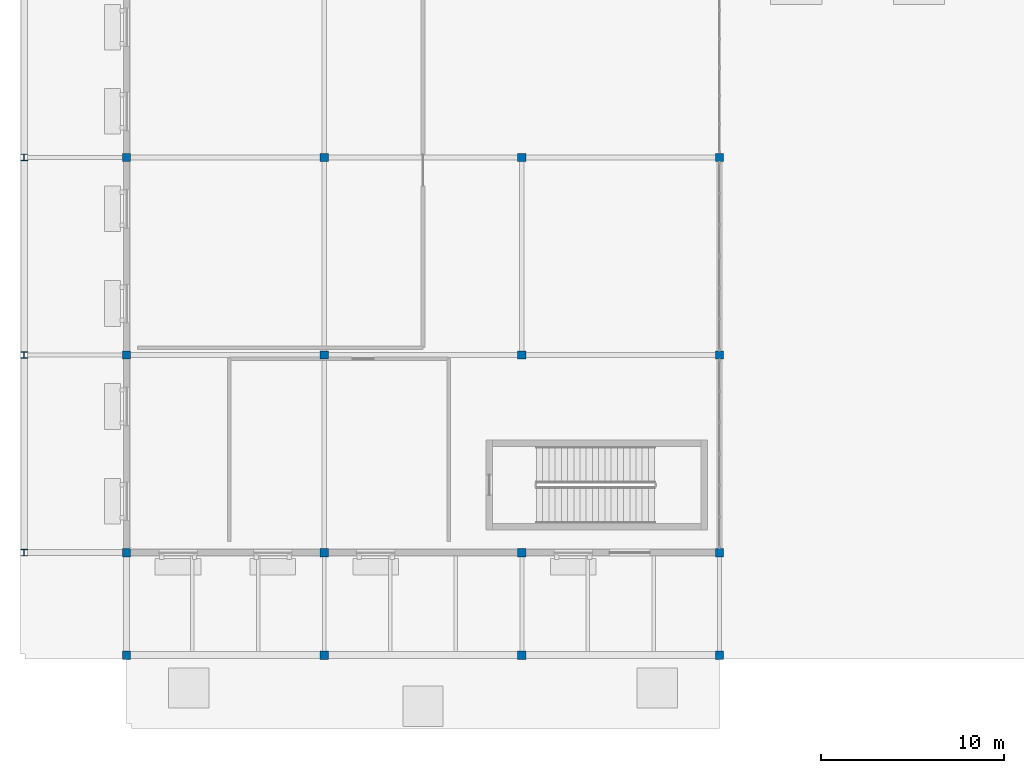
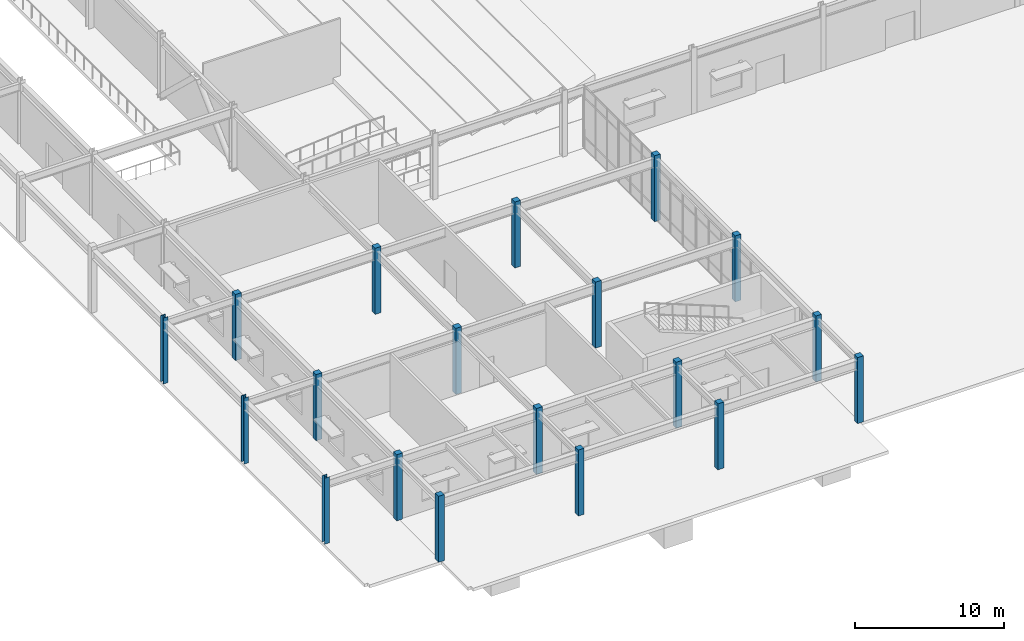
# One storey, part 2 of 54: 19 columns.
"""IFC4 building model written with IfcOpenShell, lengths in metres."""

from ifc_helpers import new_model, si_unit, direction, frame, origin, origin_2d, place, context, subcontext, project, spatial, rectangle, i_section, extrude, material, material_profile, profile_set, type_object, element, save


model = new_model("IFC4")

# Units and contexts
model_context = context("Model", 3, precision=1e-05, world=origin(), true_north=direction((0.0, 1.0)))
body_context = subcontext(model_context, "Body", "Model", "MODEL_VIEW")
ifc_project = project(units=[si_unit("LENGTHUNIT", "METRE"), si_unit("AREAUNIT", "SQUARE_METRE"), si_unit("VOLUMEUNIT", "CUBIC_METRE"), si_unit("PLANEANGLEUNIT", "RADIAN"), si_unit("MASSUNIT", "GRAM", prefix="KILO")], contexts=[model_context])

# Site, building, storey
site_placement = place(None, origin())
site = spatial("IfcSite", under=ifc_project, at=site_placement, CompositionType="ELEMENT")
building_placement = place(site_placement, origin())
building = spatial("IfcBuilding", under=site, at=building_placement, Name="Veldera Park Congress Hotel", CompositionType="ELEMENT")
storey_placement = place(building_placement, origin())
storey = spatial("IfcBuildingStorey", under=building, at=storey_placement, Name="L00", CompositionType="ELEMENT", Elevation=0.0)

# Columns
ifc_material_1 = material(Name="Glulam GL28h (NDS 24F-V4)", Category="wood")
ifc_material_profile_1 = material_profile(ifc_material_1, rectangle(XDim=0.449951171875, YDim=0.449951171875, at=origin_2d()), Name="GL28h 450x450")
ifc_profile_set_1 = profile_set([ifc_material_profile_1], Name="Glulam GL28h (NDS 24F-V4)")
column_type_1 = type_object("IfcColumnType", Name="COL-GL45", PredefinedType="COLUMN", material=ifc_profile_set_1)
for number, where, z_axis, x_axis, name in (
    (1, (-67.39990234375, -41.39990234375, 0.0), (0.0, 0.0, 1.0), (1.0, 0.0, 0.0), "L00 Column COL-GL45 (-67.4,-41.4)"),
    (2, (-67.39990234375, -30.60009765625, 0.0), (0.0, 0.0, 1.0), (1.0, 0.0, 0.0), "L00 Column COL-GL45 (-67.4,-30.6)"),
    (3, (-56.60009765625, -41.39990234375, 0.0), (0.0, 0.0, 1.0), (1.0, 0.0, 0.0), "L00 Column COL-GL45 (-56.6,-41.4)"),
    (4, (-56.60009765625, -30.60009765625, 0.0), (0.0, 0.0, 1.0), (1.0, 0.0, 0.0), "L00 Column COL-GL45 (-56.6,-30.6)"),
):
    element("IfcColumn", number, at=place(storey_placement, frame(where, z_axis=z_axis, x_axis=x_axis)), inside=storey, type_object=column_type_1, Name=name, PredefinedType="COLUMN", context=body_context, shape_type="SweptSolid", body=[
        extrude(rectangle(XDim=0.449951171875, YDim=0.449951171875, at=origin_2d()), origin(), (0.0, 0.0, 1.0), 5.39990234375),
    ])
ifc_material_profile_2 = material_profile(ifc_material_1, rectangle(XDim=0.449951171875, YDim=0.449951171875, at=origin_2d()), Name="GL28h 450x450")
ifc_profile_set_2 = profile_set([ifc_material_profile_2], Name="Glulam GL28h (NDS 24F-V4)")
column_type_2 = type_object("IfcColumnType", Name="COL-GL45E", PredefinedType="COLUMN", material=ifc_profile_set_2)
for number, where, z_axis, x_axis, name in (
    (5, (-78.199951171875, -57.800048828125, 0.0), (0.0, 0.0, 1.0), (1.0, 0.0, 0.0), "L00 Column COL-GL45E (-78.2,-57.8)"),
    (6, (-78.199951171875, -52.199951171875, 0.0), (0.0, 0.0, 1.0), (1.0, 0.0, 0.0), "L00 Column COL-GL45E (-78.2,-52.2)"),
    (7, (-78.199951171875, -41.39990234375, 0.0), (0.0, 0.0, 1.0), (1.0, 0.0, 0.0), "L00 Column COL-GL45E (-78.2,-41.4)"),
    (8, (-78.199951171875, -30.60009765625, 0.0), (0.0, 0.0, 1.0), (1.0, 0.0, 0.0), "L00 Column COL-GL45E (-78.2,-30.6)"),
    (9, (-67.39990234375, -57.800048828125, 0.0), (0.0, 0.0, 1.0), (1.0, 0.0, 0.0), "L00 Column COL-GL45E (-67.4,-57.8)"),
    (10, (-67.39990234375, -52.199951171875, 0.0), (0.0, 0.0, 1.0), (1.0, 0.0, 0.0), "L00 Column COL-GL45E (-67.4,-52.2)"),
    (11, (-56.60009765625, -57.800048828125, 0.0), (0.0, 0.0, 1.0), (1.0, 0.0, 0.0), "L00 Column COL-GL45E (-56.6,-57.8)"),
    (12, (-56.60009765625, -52.199951171875, 0.0), (0.0, 0.0, 1.0), (1.0, 0.0, 0.0), "L00 Column COL-GL45E (-56.6,-52.2)"),
    (13, (-45.800048828125, -57.800048828125, 0.0), (0.0, 0.0, 1.0), (1.0, 0.0, 0.0), "L00 Column COL-GL45E (-45.8,-57.8)"),
    (14, (-45.800048828125, -52.199951171875, 0.0), (0.0, 0.0, 1.0), (1.0, 0.0, 0.0), "L00 Column COL-GL45E (-45.8,-52.2)"),
    (15, (-45.800048828125, -41.39990234375, 0.0), (0.0, 0.0, 1.0), (1.0, 0.0, 0.0), "L00 Column COL-GL45E (-45.8,-41.4)"),
    (16, (-45.800048828125, -30.60009765625, 0.0), (0.0, 0.0, 1.0), (1.0, 0.0, 0.0), "L00 Column COL-GL45E (-45.8,-30.6)"),
):
    element("IfcColumn", number, at=place(storey_placement, frame(where, z_axis=z_axis, x_axis=x_axis)), inside=storey, type_object=column_type_2, Name=name, PredefinedType="COLUMN", context=body_context, shape_type="SweptSolid", body=[
        extrude(rectangle(XDim=0.449951171875, YDim=0.449951171875, at=origin_2d()), origin(), (0.0, 0.0, 1.0), 5.39990234375),
    ])
ifc_material_2 = material(Name="Steel ASTM A992 Gr.50", Category="steel")
ifc_material_profile_3 = material_profile(ifc_material_2, i_section(OverallWidth=0.37109375, OverallDepth=0.364013671875, WebThickness=0.01318359375, FlangeThickness=0.021728515625, at=origin_2d()), Name="W14X109")
ifc_profile_set_3 = profile_set([ifc_material_profile_3], Name="Steel ASTM A992 Gr.50")
column_type_3 = type_object("IfcColumnType", Name="COL-STL90E", PredefinedType="COLUMN", material=ifc_profile_set_3)
for number, where, z_axis, x_axis, name in (
    (17, (-83.800048828125, -52.199951171875, 0.0), (0.0, 0.0, 1.0), (1.0, 0.0, 0.0), "L00 Column COL-STL90E (-83.8,-52.2)"),
    (18, (-83.800048828125, -41.39990234375, 0.0), (0.0, 0.0, 1.0), (1.0, 0.0, 0.0), "L00 Column COL-STL90E (-83.8,-41.4)"),
    (19, (-83.800048828125, -30.60009765625, 0.0), (0.0, 0.0, 1.0), (1.0, 0.0, 0.0), "L00 Column COL-STL90E (-83.8,-30.6)"),
):
    element("IfcColumn", number, at=place(storey_placement, frame(where, z_axis=z_axis, x_axis=x_axis)), inside=storey, type_object=column_type_3, Name=name, PredefinedType="COLUMN", context=body_context, shape_type="SweptSolid", body=[
        extrude(i_section(OverallWidth=0.37109375, OverallDepth=0.364013671875, WebThickness=0.01318359375, FlangeThickness=0.021728515625, at=origin_2d()), origin(), (0.0, 0.0, 1.0), 5.39990234375),
    ])

save(model, "model.ifc")
